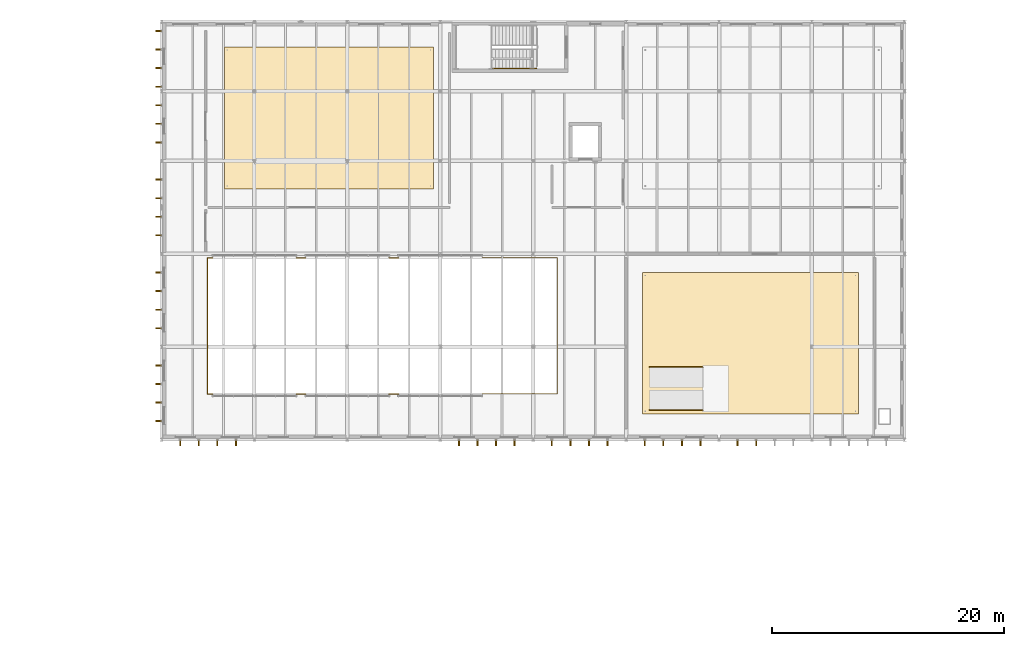
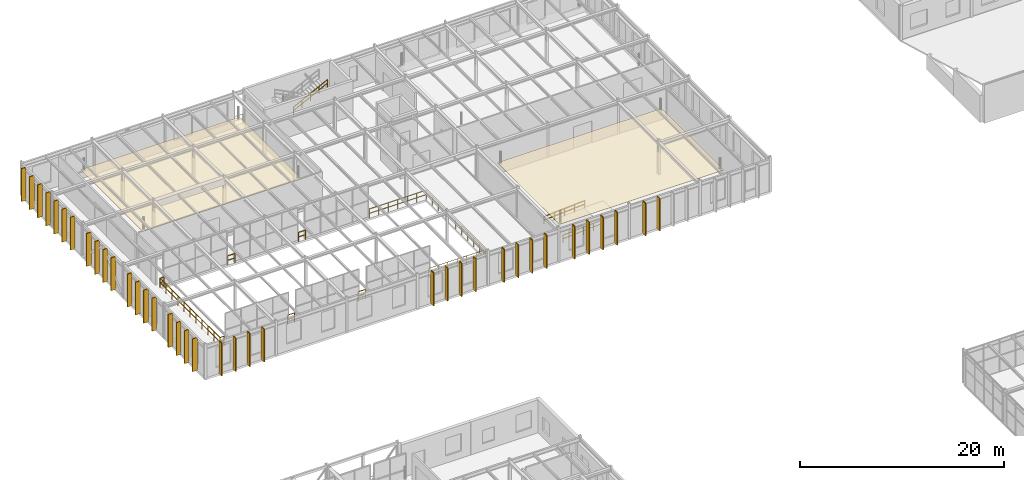
# One storey, part 119 of 124: 39 coverings, 37 shading devices, 10 railings.
"""IFC4 building model written with IfcOpenShell, lengths in metres."""

from ifc_helpers import new_model, si_unit, direction, frame, origin, origin_2d, place, context, subcontext, project, spatial, polyline, rectangle, circle, outline, extrude, material, layer, layer_set, type_object, element, save


model = new_model("IFC4")

# Units and contexts
model_context = context("Model", 3, precision=1e-05, world=origin(), true_north=direction((0.0, 1.0)))
body_context = subcontext(model_context, "Body", "Model", "MODEL_VIEW")
ifc_project = project(units=[si_unit("LENGTHUNIT", "METRE"), si_unit("AREAUNIT", "SQUARE_METRE"), si_unit("VOLUMEUNIT", "CUBIC_METRE"), si_unit("PLANEANGLEUNIT", "RADIAN"), si_unit("MASSUNIT", "GRAM", prefix="KILO")], contexts=[model_context])

# Site, building, storey
site_placement = place(None, origin())
site = spatial("IfcSite", under=ifc_project, at=site_placement, CompositionType="ELEMENT")
building_placement = place(site_placement, origin())
building = spatial("IfcBuilding", under=site, at=building_placement, Name="Sundkrona Museum", CompositionType="ELEMENT")
storey_placement = place(building_placement, frame((0.0, 0.0, 17.60009765625)))
storey = spatial("IfcBuildingStorey", under=building, at=storey_placement, Name="L03", CompositionType="ELEMENT", Elevation=17.60009765625)

# Coverings
ifc_material_1 = material(Name="Perforated Acoustic Gypsum and Mineral Wool Ceiling", Category="other")
ifc_layer_1 = layer(ifc_material_1, 0.0400390625)
ifc_layer_set_1 = layer_set([ifc_layer_1], Name="Perforated Acoustic Gypsum and Mineral Wool Ceiling")
covering_type_1 = type_object("IfcCoveringType", Name="COV-CEIL-AC", PredefinedType="CEILING", material=ifc_layer_set_1)
covering_1_placement = place(storey_placement, frame((0.0, 0.0, 2.5498046875)))
element("IfcCovering", 1, at=covering_1_placement, inside=storey, type_object=covering_type_1, Name="L03 Arctic Expeditions Gallery Acoustic Ceiling", PredefinedType="CEILING", context=body_context, shape_type="SweptSolid", body=[
    extrude(outline(polyline([(21.39990234375, 99.60009765625), (39.39990234375, 99.60009765625), (39.39990234375, 111.800048828125), (21.39990234375, 111.800048828125), (21.39990234375, 99.60009765625)])), origin(), (0.0, 0.0, 1.0), 0.0400390625),
])
covering_2_placement = place(storey_placement, frame((0.0, 0.0, 2.5498046875)))
element("IfcCovering", 2, at=covering_2_placement, inside=storey, type_object=covering_type_1, Name="L03 Nordic Ecology Gallery Acoustic Ceiling", PredefinedType="CEILING", context=body_context, shape_type="SweptSolid", body=[
    extrude(outline(polyline([(57.39990234375, 80.199951171875), (76.0, 80.199951171875), (76.0, 92.39990234375), (57.39990234375, 92.39990234375), (57.39990234375, 80.199951171875)])), origin(), (0.0, 0.0, 1.0), 0.0400390625),
])
ifc_material_2 = material(Name="Frost-Resistant Vitrified Stoneware Mosaic Cladding", Category="masonry")
ifc_layer_2 = layer(ifc_material_2, 0.044921875)
ifc_layer_set_2 = layer_set([ifc_layer_2], Name="Frost-Resistant Vitrified Stoneware Mosaic Cladding")
covering_type_2 = type_object("IfcCoveringType", Name="COV-CLD-MOS", PredefinedType="CLADDING", material=ifc_layer_set_2)
for number, where, z_axis, x_axis, name in (
    (3, (17.60009765625, 77.7451171875, 0.0), (0.0, 0.0, 1.0), (1.0, 0.0, 0.0), "L03 Vitrified Ceramic Brise-Soleil Casing S-109"),
    (4, (19.199951171875, 77.7451171875, 0.0), (0.0, 0.0, 1.0), (1.0, 0.0, 0.0), "L03 Vitrified Ceramic Brise-Soleil Casing S-110"),
    (5, (20.800048828125, 77.7451171875, 0.0), (0.0, 0.0, 1.0), (1.0, 0.0, 0.0), "L03 Vitrified Ceramic Brise-Soleil Casing S-111"),
    (6, (22.39990234375, 77.7451171875, 0.0), (0.0, 0.0, 1.0), (1.0, 0.0, 0.0), "L03 Vitrified Ceramic Brise-Soleil Casing S-112"),
    (7, (41.60009765625, 77.7451171875, 0.0), (0.0, 0.0, 1.0), (1.0, 0.0, 0.0), "L03 Vitrified Ceramic Brise-Soleil Casing S-113"),
    (8, (43.199951171875, 77.7451171875, 0.0), (0.0, 0.0, 1.0), (1.0, 0.0, 0.0), "L03 Vitrified Ceramic Brise-Soleil Casing S-114"),
    (9, (44.800048828125, 77.7451171875, 0.0), (0.0, 0.0, 1.0), (1.0, 0.0, 0.0), "L03 Vitrified Ceramic Brise-Soleil Casing S-115"),
    (10, (46.39990234375, 77.7451171875, 0.0), (0.0, 0.0, 1.0), (1.0, 0.0, 0.0), "L03 Vitrified Ceramic Brise-Soleil Casing S-116"),
    (11, (49.60009765625, 77.7451171875, 0.0), (0.0, 0.0, 1.0), (1.0, 0.0, 0.0), "L03 Vitrified Ceramic Brise-Soleil Casing S-117"),
    (12, (51.199951171875, 77.7451171875, 0.0), (0.0, 0.0, 1.0), (1.0, 0.0, 0.0), "L03 Vitrified Ceramic Brise-Soleil Casing S-118"),
    (13, (52.800048828125, 77.7451171875, 0.0), (0.0, 0.0, 1.0), (1.0, 0.0, 0.0), "L03 Vitrified Ceramic Brise-Soleil Casing S-119"),
    (14, (54.39990234375, 77.7451171875, 0.0), (0.0, 0.0, 1.0), (1.0, 0.0, 0.0), "L03 Vitrified Ceramic Brise-Soleil Casing S-120"),
):
    element("IfcCovering", number, at=place(storey_placement, frame(where, z_axis=z_axis, x_axis=x_axis)), inside=storey, type_object=covering_type_2, Name=name, PredefinedType="CLADDING", context=body_context, shape_type="SweptSolid", body=[
        extrude(rectangle(XDim=0.110107421875, YDim=0.530029296875, at=origin_2d()), origin(), (0.0, 0.0, 1.0), 3.9599609375),
    ])
for number, where, z_axis, x_axis, name in (
    (15, (57.60009765625, 77.7451171875, 0.0), (0.0, 0.0, 1.0), (1.0, 0.0, 0.0), "L03 Vitrified Ceramic Brise-Soleil Casing S-121"),
    (16, (59.199951171875, 77.7451171875, 0.0), (0.0, 0.0, 1.0), (1.0, 0.0, 0.0), "L03 Vitrified Ceramic Brise-Soleil Casing S-122"),
    (17, (60.800048828125, 77.7451171875, 0.0), (0.0, 0.0, 1.0), (1.0, 0.0, 0.0), "L03 Vitrified Ceramic Brise-Soleil Casing S-123"),
    (18, (62.39990234375, 77.7451171875, 0.0), (0.0, 0.0, 1.0), (1.0, 0.0, 0.0), "L03 Vitrified Ceramic Brise-Soleil Casing S-124"),
    (19, (65.60009765625, 77.7451171875, 0.0), (0.0, 0.0, 1.0), (1.0, 0.0, 0.0), "L03 Vitrified Ceramic Brise-Soleil Casing S-125"),
    (20, (67.199951171875, 77.7451171875, 0.0), (0.0, 0.0, 1.0), (1.0, 0.0, 0.0), "L03 Vitrified Ceramic Brise-Soleil Casing S-126"),
):
    element("IfcCovering", number, at=place(storey_placement, frame(where, z_axis=z_axis, x_axis=x_axis)), inside=storey, type_object=covering_type_2, Name=name, PredefinedType="CLADDING", context=body_context, shape_type="SweptSolid", body=[
        extrude(rectangle(XDim=0.110107421875, YDim=0.530029296875, at=origin_2d()), origin(), (0.0, 0.0, 1.0), 3.89990234375),
    ])
for number, where, z_axis, x_axis, name in (
    (21, (15.7451171875, 79.60009765625, 0.0), (0.0, 0.0, 1.0), (1.0, 0.0, 0.0), "L03 Vitrified Ceramic Brise-Soleil Casing W-218"),
    (22, (15.7451171875, 81.199951171875, 0.0), (0.0, 0.0, 1.0), (1.0, 0.0, 0.0), "L03 Vitrified Ceramic Brise-Soleil Casing W-219"),
    (23, (15.7451171875, 82.800048828125, 0.0), (0.0, 0.0, 1.0), (1.0, 0.0, 0.0), "L03 Vitrified Ceramic Brise-Soleil Casing W-220"),
    (24, (15.7451171875, 84.39990234375, 0.0), (0.0, 0.0, 1.0), (1.0, 0.0, 0.0), "L03 Vitrified Ceramic Brise-Soleil Casing W-221"),
    (25, (15.7451171875, 87.60009765625, 0.0), (0.0, 0.0, 1.0), (1.0, 0.0, 0.0), "L03 Vitrified Ceramic Brise-Soleil Casing W-222"),
    (26, (15.7451171875, 89.199951171875, 0.0), (0.0, 0.0, 1.0), (1.0, 0.0, 0.0), "L03 Vitrified Ceramic Brise-Soleil Casing W-223"),
    (27, (15.7451171875, 90.800048828125, 0.0), (0.0, 0.0, 1.0), (1.0, 0.0, 0.0), "L03 Vitrified Ceramic Brise-Soleil Casing W-224"),
    (28, (15.7451171875, 92.39990234375, 0.0), (0.0, 0.0, 1.0), (1.0, 0.0, 0.0), "L03 Vitrified Ceramic Brise-Soleil Casing W-225"),
    (29, (15.7451171875, 95.60009765625, 0.0), (0.0, 0.0, 1.0), (1.0, 0.0, 0.0), "L03 Vitrified Ceramic Brise-Soleil Casing W-226"),
    (30, (15.7451171875, 97.199951171875, 0.0), (0.0, 0.0, 1.0), (1.0, 0.0, 0.0), "L03 Vitrified Ceramic Brise-Soleil Casing W-227"),
    (31, (15.7451171875, 98.800048828125, 0.0), (0.0, 0.0, 1.0), (1.0, 0.0, 0.0), "L03 Vitrified Ceramic Brise-Soleil Casing W-228"),
    (32, (15.7451171875, 100.39990234375, 0.0), (0.0, 0.0, 1.0), (1.0, 0.0, 0.0), "L03 Vitrified Ceramic Brise-Soleil Casing W-229"),
    (33, (15.7451171875, 103.60009765625, 0.0), (0.0, 0.0, 1.0), (1.0, 0.0, 0.0), "L03 Vitrified Ceramic Brise-Soleil Casing W-230"),
    (34, (15.7451171875, 105.199951171875, 0.0), (0.0, 0.0, 1.0), (1.0, 0.0, 0.0), "L03 Vitrified Ceramic Brise-Soleil Casing W-231"),
    (35, (15.7451171875, 106.800048828125, 0.0), (0.0, 0.0, 1.0), (1.0, 0.0, 0.0), "L03 Vitrified Ceramic Brise-Soleil Casing W-232"),
    (36, (15.7451171875, 108.39990234375, 0.0), (0.0, 0.0, 1.0), (1.0, 0.0, 0.0), "L03 Vitrified Ceramic Brise-Soleil Casing W-233"),
    (37, (15.7451171875, 110.0, 0.0), (0.0, 0.0, 1.0), (1.0, 0.0, 0.0), "L03 Vitrified Ceramic Brise-Soleil Casing W-234"),
    (38, (15.7451171875, 111.60009765625, 0.0), (0.0, 0.0, 1.0), (1.0, 0.0, 0.0), "L03 Vitrified Ceramic Brise-Soleil Casing W-235"),
    (39, (15.7451171875, 113.199951171875, 0.0), (0.0, 0.0, 1.0), (1.0, 0.0, 0.0), "L03 Vitrified Ceramic Brise-Soleil Casing W-236"),
):
    element("IfcCovering", number, at=place(storey_placement, frame(where, z_axis=z_axis, x_axis=x_axis)), inside=storey, type_object=covering_type_2, Name=name, PredefinedType="CLADDING", context=body_context, shape_type="SweptSolid", body=[
        extrude(rectangle(XDim=0.530029296875, YDim=0.110107421875, at=origin_2d()), origin(), (0.0, 0.0, 1.0), 3.93994140625),
    ])

# Shading devices
ifc_material_3 = material(Name="Vitrified Stoneware Ceramic on Galvanised Steel Core", Category="masonry")
ifc_layer_3 = layer(ifc_material_3, 0.080078125)
ifc_layer_set_3 = layer_set([ifc_layer_3], Name="Vitrified Stoneware Ceramic on Galvanised Steel Core")
shading_device_type = type_object("IfcShadingDeviceType", Name="FIN-CER-520", PredefinedType="USERDEFINED", material=ifc_layer_set_3)
for number, where, z_axis, x_axis, name in (
    (40, (17.60009765625, 77.739990234375, 0.0), (0.0, 0.0, 1.0), (1.0, 0.0, 0.0), "L03 Ceramic Brise-Soleil Fin S-109"),
    (41, (19.199951171875, 77.739990234375, 0.0), (0.0, 0.0, 1.0), (1.0, 0.0, 0.0), "L03 Ceramic Brise-Soleil Fin S-110"),
    (42, (20.800048828125, 77.739990234375, 0.0), (0.0, 0.0, 1.0), (1.0, 0.0, 0.0), "L03 Ceramic Brise-Soleil Fin S-111"),
    (43, (22.39990234375, 77.739990234375, 0.0), (0.0, 0.0, 1.0), (1.0, 0.0, 0.0), "L03 Ceramic Brise-Soleil Fin S-112"),
    (44, (41.60009765625, 77.739990234375, 0.0), (0.0, 0.0, 1.0), (1.0, 0.0, 0.0), "L03 Ceramic Brise-Soleil Fin S-113"),
    (45, (43.199951171875, 77.739990234375, 0.0), (0.0, 0.0, 1.0), (1.0, 0.0, 0.0), "L03 Ceramic Brise-Soleil Fin S-114"),
    (46, (44.800048828125, 77.739990234375, 0.0), (0.0, 0.0, 1.0), (1.0, 0.0, 0.0), "L03 Ceramic Brise-Soleil Fin S-115"),
    (47, (46.39990234375, 77.739990234375, 0.0), (0.0, 0.0, 1.0), (1.0, 0.0, 0.0), "L03 Ceramic Brise-Soleil Fin S-116"),
    (48, (49.60009765625, 77.739990234375, 0.0), (0.0, 0.0, 1.0), (1.0, 0.0, 0.0), "L03 Ceramic Brise-Soleil Fin S-117"),
    (49, (51.199951171875, 77.739990234375, 0.0), (0.0, 0.0, 1.0), (1.0, 0.0, 0.0), "L03 Ceramic Brise-Soleil Fin S-118"),
    (50, (52.800048828125, 77.739990234375, 0.0), (0.0, 0.0, 1.0), (1.0, 0.0, 0.0), "L03 Ceramic Brise-Soleil Fin S-119"),
    (51, (54.39990234375, 77.739990234375, 0.0), (0.0, 0.0, 1.0), (1.0, 0.0, 0.0), "L03 Ceramic Brise-Soleil Fin S-120"),
):
    element("IfcShadingDevice", number, at=place(storey_placement, frame(where, z_axis=z_axis, x_axis=x_axis)), inside=storey, type_object=shading_device_type, Name=name, ObjectType="SOLAR FIN", PredefinedType="USERDEFINED", context=body_context, shape_type="SweptSolid", body=[
        extrude(rectangle(XDim=0.080078125, YDim=0.52001953125, at=origin_2d()), origin(), (0.0, 0.0, 1.0), 3.9599609375),
    ])
for number, where, z_axis, x_axis, name in (
    (52, (57.60009765625, 77.739990234375, 0.0), (0.0, 0.0, 1.0), (1.0, 0.0, 0.0), "L03 Ceramic Brise-Soleil Fin S-121"),
    (53, (59.199951171875, 77.739990234375, 0.0), (0.0, 0.0, 1.0), (1.0, 0.0, 0.0), "L03 Ceramic Brise-Soleil Fin S-122"),
    (54, (60.800048828125, 77.739990234375, 0.0), (0.0, 0.0, 1.0), (1.0, 0.0, 0.0), "L03 Ceramic Brise-Soleil Fin S-123"),
    (55, (62.39990234375, 77.739990234375, 0.0), (0.0, 0.0, 1.0), (1.0, 0.0, 0.0), "L03 Ceramic Brise-Soleil Fin S-124"),
    (56, (65.60009765625, 77.739990234375, 0.0), (0.0, 0.0, 1.0), (1.0, 0.0, 0.0), "L03 Ceramic Brise-Soleil Fin S-125"),
    (57, (67.199951171875, 77.739990234375, 0.0), (0.0, 0.0, 1.0), (1.0, 0.0, 0.0), "L03 Ceramic Brise-Soleil Fin S-126"),
):
    element("IfcShadingDevice", number, at=place(storey_placement, frame(where, z_axis=z_axis, x_axis=x_axis)), inside=storey, type_object=shading_device_type, Name=name, ObjectType="SOLAR FIN", PredefinedType="USERDEFINED", context=body_context, shape_type="SweptSolid", body=[
        extrude(rectangle(XDim=0.080078125, YDim=0.52001953125, at=origin_2d()), origin(), (0.0, 0.0, 1.0), 3.89990234375),
    ])
for number, where, z_axis, x_axis, name in (
    (58, (15.739990234375, 79.60009765625, 0.0), (0.0, 0.0, 1.0), (1.0, 0.0, 0.0), "L03 Ceramic Brise-Soleil Fin W-218"),
    (59, (15.739990234375, 81.199951171875, 0.0), (0.0, 0.0, 1.0), (1.0, 0.0, 0.0), "L03 Ceramic Brise-Soleil Fin W-219"),
    (60, (15.739990234375, 82.800048828125, 0.0), (0.0, 0.0, 1.0), (1.0, 0.0, 0.0), "L03 Ceramic Brise-Soleil Fin W-220"),
    (61, (15.739990234375, 84.39990234375, 0.0), (0.0, 0.0, 1.0), (1.0, 0.0, 0.0), "L03 Ceramic Brise-Soleil Fin W-221"),
    (62, (15.739990234375, 87.60009765625, 0.0), (0.0, 0.0, 1.0), (1.0, 0.0, 0.0), "L03 Ceramic Brise-Soleil Fin W-222"),
    (63, (15.739990234375, 89.199951171875, 0.0), (0.0, 0.0, 1.0), (1.0, 0.0, 0.0), "L03 Ceramic Brise-Soleil Fin W-223"),
    (64, (15.739990234375, 90.800048828125, 0.0), (0.0, 0.0, 1.0), (1.0, 0.0, 0.0), "L03 Ceramic Brise-Soleil Fin W-224"),
    (65, (15.739990234375, 92.39990234375, 0.0), (0.0, 0.0, 1.0), (1.0, 0.0, 0.0), "L03 Ceramic Brise-Soleil Fin W-225"),
    (66, (15.739990234375, 95.60009765625, 0.0), (0.0, 0.0, 1.0), (1.0, 0.0, 0.0), "L03 Ceramic Brise-Soleil Fin W-226"),
    (67, (15.739990234375, 97.199951171875, 0.0), (0.0, 0.0, 1.0), (1.0, 0.0, 0.0), "L03 Ceramic Brise-Soleil Fin W-227"),
    (68, (15.739990234375, 98.800048828125, 0.0), (0.0, 0.0, 1.0), (1.0, 0.0, 0.0), "L03 Ceramic Brise-Soleil Fin W-228"),
    (69, (15.739990234375, 100.39990234375, 0.0), (0.0, 0.0, 1.0), (1.0, 0.0, 0.0), "L03 Ceramic Brise-Soleil Fin W-229"),
    (70, (15.739990234375, 103.60009765625, 0.0), (0.0, 0.0, 1.0), (1.0, 0.0, 0.0), "L03 Ceramic Brise-Soleil Fin W-230"),
    (71, (15.739990234375, 105.199951171875, 0.0), (0.0, 0.0, 1.0), (1.0, 0.0, 0.0), "L03 Ceramic Brise-Soleil Fin W-231"),
    (72, (15.739990234375, 106.800048828125, 0.0), (0.0, 0.0, 1.0), (1.0, 0.0, 0.0), "L03 Ceramic Brise-Soleil Fin W-232"),
    (73, (15.739990234375, 108.39990234375, 0.0), (0.0, 0.0, 1.0), (1.0, 0.0, 0.0), "L03 Ceramic Brise-Soleil Fin W-233"),
    (74, (15.739990234375, 110.0, 0.0), (0.0, 0.0, 1.0), (1.0, 0.0, 0.0), "L03 Ceramic Brise-Soleil Fin W-234"),
    (75, (15.739990234375, 111.60009765625, 0.0), (0.0, 0.0, 1.0), (1.0, 0.0, 0.0), "L03 Ceramic Brise-Soleil Fin W-235"),
    (76, (15.739990234375, 113.199951171875, 0.0), (0.0, 0.0, 1.0), (1.0, 0.0, 0.0), "L03 Ceramic Brise-Soleil Fin W-236"),
):
    element("IfcShadingDevice", number, at=place(storey_placement, frame(where, z_axis=z_axis, x_axis=x_axis)), inside=storey, type_object=shading_device_type, Name=name, ObjectType="SOLAR FIN", PredefinedType="USERDEFINED", context=body_context, shape_type="SweptSolid", body=[
        extrude(rectangle(XDim=0.52001953125, YDim=0.080078125, at=origin_2d()), origin(), (0.0, 0.0, 1.0), 3.93994140625),
    ])

# Railings
ifc_material_4 = material(Name="Painted Steel S355J2 and Laminated Glass Balustrade", Category="steel")
railing_type_1 = type_object("IfcRailingType", Name="RL-GUARD-1100", PredefinedType="BALUSTRADE", material=ifc_material_4)
railing_1_placement = place(storey_placement, frame((19.93994140625, 81.93994140625, 0.0)))
element("IfcRailing", 77, at=railing_1_placement, inside=storey, type_object=railing_type_1, Name="L03 Edge Protection Balustrade 004", PredefinedType="BALUSTRADE", context=body_context, shape_type="SweptSolid", body=[
    extrude(circle(Radius=0.02392578125, at=origin_2d()), frame((0.0, 0.0, 1.09619140625), z_axis=(1.0, 0.0, 0.0), x_axis=(0.0, 1.0, 0.0)), (0.0, 0.0, 1.0), 0.4599609375),
    extrude(circle(Radius=0.02392578125, at=origin_2d()), frame((0.0, 0.0, 0.56005859375), z_axis=(1.0, 0.0, 0.0), x_axis=(0.0, 1.0, 0.0)), (0.0, 0.0, 1.0), 0.4599609375),
    extrude(circle(Radius=0.02099609375, at=origin_2d()), origin(), (0.0, 0.0, 1.0), 1.072021484375),
    extrude(circle(Radius=0.02099609375, at=origin_2d()), frame((0.4599609375, 0.0, 0.0)), (0.0, 0.0, 1.0), 1.072021484375),
])
railing_2_placement = place(storey_placement, frame((20.39990234375, 93.659912109375, 0.0)))
element("IfcRailing", 78, at=railing_2_placement, inside=storey, type_object=railing_type_1, Name="L03 Edge Protection Balustrade 005", PredefinedType="BALUSTRADE", context=body_context, shape_type="SweptSolid", body=[
    extrude(circle(Radius=0.02392578125, at=origin_2d()), frame((0.0, 0.0, 1.09619140625), z_axis=(-1.0, 0.0, 0.0), x_axis=(0.0, -1.0, 0.0)), (0.0, 0.0, 1.0), 0.4599609375),
    extrude(circle(Radius=0.02392578125, at=origin_2d()), frame((0.0, 0.0, 0.56005859375), z_axis=(-1.0, 0.0, 0.0), x_axis=(0.0, -1.0, 0.0)), (0.0, 0.0, 1.0), 0.4599609375),
    extrude(circle(Radius=0.02392578125, at=origin_2d()), frame((-0.4599609375, 0.0, 1.09619140625), z_axis=(0.0, -1.0, 0.0), x_axis=(1.0, 0.0, 0.0)), (0.0, 0.0, 1.0), 11.719970703125),
    extrude(circle(Radius=0.02392578125, at=origin_2d()), frame((-0.4599609375, 0.0, 0.56005859375), z_axis=(0.0, -1.0, 0.0), x_axis=(1.0, 0.0, 0.0)), (0.0, 0.0, 1.0), 11.719970703125),
    extrude(circle(Radius=0.02099609375, at=origin_2d()), origin(), (0.0, 0.0, 1.0), 1.072021484375),
    extrude(circle(Radius=0.02099609375, at=origin_2d()), frame((-0.4599609375, 0.0, 0.0)), (0.0, 0.0, 1.0), 1.072021484375),
    extrude(circle(Radius=0.02099609375, at=origin_2d()), frame((-0.4599609375, -1.171875, 0.0)), (0.0, 0.0, 1.0), 1.072021484375),
    extrude(circle(Radius=0.02099609375, at=origin_2d()), frame((-0.4599609375, -2.343994140625, 0.0)), (0.0, 0.0, 1.0), 1.072021484375),
    extrude(circle(Radius=0.02099609375, at=origin_2d()), frame((-0.4599609375, -3.51611328125, 0.0)), (0.0, 0.0, 1.0), 1.072021484375),
    extrude(circle(Radius=0.02099609375, at=origin_2d()), frame((-0.4599609375, -4.68798828125, 0.0)), (0.0, 0.0, 1.0), 1.072021484375),
    extrude(circle(Radius=0.02099609375, at=origin_2d()), frame((-0.4599609375, -5.85986328125, 0.0)), (0.0, 0.0, 1.0), 1.072021484375),
    extrude(circle(Radius=0.02099609375, at=origin_2d()), frame((-0.4599609375, -7.031982421875, 0.0)), (0.0, 0.0, 1.0), 1.072021484375),
    extrude(circle(Radius=0.02099609375, at=origin_2d()), frame((-0.4599609375, -8.2041015625, 0.0)), (0.0, 0.0, 1.0), 1.072021484375),
    extrude(circle(Radius=0.02099609375, at=origin_2d()), frame((-0.4599609375, -9.3759765625, 0.0)), (0.0, 0.0, 1.0), 1.072021484375),
    extrude(circle(Radius=0.02099609375, at=origin_2d()), frame((-0.4599609375, -10.5478515625, 0.0)), (0.0, 0.0, 1.0), 1.072021484375),
    extrude(circle(Radius=0.02099609375, at=origin_2d()), frame((-0.4599609375, -11.719970703125, 0.0)), (0.0, 0.0, 1.0), 1.072021484375),
])
railing_3_placement = place(storey_placement, frame((27.60009765625, 81.93994140625, 0.0)))
element("IfcRailing", 79, at=railing_3_placement, inside=storey, type_object=railing_type_1, Name="L03 Edge Protection Balustrade 006", PredefinedType="BALUSTRADE", context=body_context, shape_type="SweptSolid", body=[
    extrude(circle(Radius=0.02392578125, at=origin_2d()), frame((0.0, 0.0, 1.09619140625), z_axis=(1.0, 0.0, 0.0), x_axis=(0.0, 1.0, 0.0)), (0.0, 0.0, 1.0), 0.7998046875),
    extrude(circle(Radius=0.02392578125, at=origin_2d()), frame((0.0, 0.0, 0.56005859375), z_axis=(1.0, 0.0, 0.0), x_axis=(0.0, 1.0, 0.0)), (0.0, 0.0, 1.0), 0.7998046875),
    extrude(circle(Radius=0.02099609375, at=origin_2d()), origin(), (0.0, 0.0, 1.0), 1.072021484375),
    extrude(circle(Radius=0.02099609375, at=origin_2d()), frame((0.7998046875, 0.0, 0.0)), (0.0, 0.0, 1.0), 1.072021484375),
])
railing_4_placement = place(storey_placement, frame((28.39990234375, 93.659912109375, 0.0)))
element("IfcRailing", 80, at=railing_4_placement, inside=storey, type_object=railing_type_1, Name="L03 Edge Protection Balustrade 007", PredefinedType="BALUSTRADE", context=body_context, shape_type="SweptSolid", body=[
    extrude(circle(Radius=0.02392578125, at=origin_2d()), frame((0.0, 0.0, 1.09619140625), z_axis=(-1.0, 0.0, 0.0), x_axis=(0.0, -1.0, 0.0)), (0.0, 0.0, 1.0), 0.7998046875),
    extrude(circle(Radius=0.02392578125, at=origin_2d()), frame((0.0, 0.0, 0.56005859375), z_axis=(-1.0, 0.0, 0.0), x_axis=(0.0, -1.0, 0.0)), (0.0, 0.0, 1.0), 0.7998046875),
    extrude(circle(Radius=0.02099609375, at=origin_2d()), origin(), (0.0, 0.0, 1.0), 1.072021484375),
    extrude(circle(Radius=0.02099609375, at=origin_2d()), frame((-0.7998046875, 0.0, 0.0)), (0.0, 0.0, 1.0), 1.072021484375),
])
railing_5_placement = place(storey_placement, frame((35.60009765625, 81.93994140625, 0.0)))
element("IfcRailing", 81, at=railing_5_placement, inside=storey, type_object=railing_type_1, Name="L03 Edge Protection Balustrade 010", PredefinedType="BALUSTRADE", context=body_context, shape_type="SweptSolid", body=[
    extrude(circle(Radius=0.02392578125, at=origin_2d()), frame((0.0, 0.0, 1.09619140625), z_axis=(1.0, 0.0, 0.0), x_axis=(0.0, 1.0, 0.0)), (0.0, 0.0, 1.0), 0.7998046875),
    extrude(circle(Radius=0.02392578125, at=origin_2d()), frame((0.0, 0.0, 0.56005859375), z_axis=(1.0, 0.0, 0.0), x_axis=(0.0, 1.0, 0.0)), (0.0, 0.0, 1.0), 0.7998046875),
    extrude(circle(Radius=0.02099609375, at=origin_2d()), origin(), (0.0, 0.0, 1.0), 1.072021484375),
    extrude(circle(Radius=0.02099609375, at=origin_2d()), frame((0.7998046875, 0.0, 0.0)), (0.0, 0.0, 1.0), 1.072021484375),
])
railing_6_placement = place(storey_placement, frame((36.39990234375, 93.659912109375, 0.0)))
element("IfcRailing", 82, at=railing_6_placement, inside=storey, type_object=railing_type_1, Name="L03 Edge Protection Balustrade 011", PredefinedType="BALUSTRADE", context=body_context, shape_type="SweptSolid", body=[
    extrude(circle(Radius=0.02392578125, at=origin_2d()), frame((0.0, 0.0, 1.09619140625), z_axis=(-1.0, 0.0, 0.0), x_axis=(0.0, -1.0, 0.0)), (0.0, 0.0, 1.0), 0.7998046875),
    extrude(circle(Radius=0.02392578125, at=origin_2d()), frame((0.0, 0.0, 0.56005859375), z_axis=(-1.0, 0.0, 0.0), x_axis=(0.0, -1.0, 0.0)), (0.0, 0.0, 1.0), 0.7998046875),
    extrude(circle(Radius=0.02099609375, at=origin_2d()), origin(), (0.0, 0.0, 1.0), 1.072021484375),
    extrude(circle(Radius=0.02099609375, at=origin_2d()), frame((-0.7998046875, 0.0, 0.0)), (0.0, 0.0, 1.0), 1.072021484375),
])
railing_7_placement = place(storey_placement, frame((43.60009765625, 81.93994140625, 0.0)))
element("IfcRailing", 83, at=railing_7_placement, inside=storey, type_object=railing_type_1, Name="L03 Edge Protection Balustrade 013", PredefinedType="BALUSTRADE", context=body_context, shape_type="SweptSolid", body=[
    extrude(circle(Radius=0.02392578125, at=origin_2d()), frame((0.0, 0.0, 1.09619140625), z_axis=(1.0, 0.0, 0.0), x_axis=(0.0, 1.0, 0.0)), (0.0, 0.0, 1.0), 6.4599609375),
    extrude(circle(Radius=0.02392578125, at=origin_2d()), frame((0.0, 0.0, 0.56005859375), z_axis=(1.0, 0.0, 0.0), x_axis=(0.0, 1.0, 0.0)), (0.0, 0.0, 1.0), 6.4599609375),
    extrude(circle(Radius=0.02392578125, at=origin_2d()), frame((6.4599609375, 0.0, 1.09619140625), z_axis=(0.0, 1.0, 0.0), x_axis=(-1.0, 0.0, 0.0)), (0.0, 0.0, 1.0), 11.719970703125),
    extrude(circle(Radius=0.02392578125, at=origin_2d()), frame((6.4599609375, 0.0, 0.56005859375), z_axis=(0.0, 1.0, 0.0), x_axis=(-1.0, 0.0, 0.0)), (0.0, 0.0, 1.0), 11.719970703125),
    extrude(circle(Radius=0.02392578125, at=origin_2d()), frame((6.4599609375, 11.719970703125, 1.09619140625), z_axis=(-1.0, 0.0, 0.0), x_axis=(0.0, -1.0, 0.0)), (0.0, 0.0, 1.0), 6.4599609375),
    extrude(circle(Radius=0.02392578125, at=origin_2d()), frame((6.4599609375, 11.719970703125, 0.56005859375), z_axis=(-1.0, 0.0, 0.0), x_axis=(0.0, -1.0, 0.0)), (0.0, 0.0, 1.0), 6.4599609375),
    extrude(circle(Radius=0.02099609375, at=origin_2d()), origin(), (0.0, 0.0, 1.0), 1.072021484375),
    extrude(circle(Radius=0.02099609375, at=origin_2d()), frame((1.07666015625, 0.0, 0.0)), (0.0, 0.0, 1.0), 1.072021484375),
    extrude(circle(Radius=0.02099609375, at=origin_2d()), frame((2.1533203125, 0.0, 0.0)), (0.0, 0.0, 1.0), 1.072021484375),
    extrude(circle(Radius=0.02099609375, at=origin_2d()), frame((3.22998046875, 0.0, 0.0)), (0.0, 0.0, 1.0), 1.072021484375),
    extrude(circle(Radius=0.02099609375, at=origin_2d()), frame((4.306640625, 0.0, 0.0)), (0.0, 0.0, 1.0), 1.072021484375),
    extrude(circle(Radius=0.02099609375, at=origin_2d()), frame((5.38330078125, 0.0, 0.0)), (0.0, 0.0, 1.0), 1.072021484375),
    extrude(circle(Radius=0.02099609375, at=origin_2d()), frame((6.4599609375, 0.0, 0.0)), (0.0, 0.0, 1.0), 1.072021484375),
    extrude(circle(Radius=0.02099609375, at=origin_2d()), frame((6.4599609375, 1.171875, 0.0)), (0.0, 0.0, 1.0), 1.072021484375),
    extrude(circle(Radius=0.02099609375, at=origin_2d()), frame((6.4599609375, 2.343994140625, 0.0)), (0.0, 0.0, 1.0), 1.072021484375),
    extrude(circle(Radius=0.02099609375, at=origin_2d()), frame((6.4599609375, 3.51611328125, 0.0)), (0.0, 0.0, 1.0), 1.072021484375),
    extrude(circle(Radius=0.02099609375, at=origin_2d()), frame((6.4599609375, 4.68798828125, 0.0)), (0.0, 0.0, 1.0), 1.072021484375),
    extrude(circle(Radius=0.02099609375, at=origin_2d()), frame((6.4599609375, 5.85986328125, 0.0)), (0.0, 0.0, 1.0), 1.072021484375),
    extrude(circle(Radius=0.02099609375, at=origin_2d()), frame((6.4599609375, 7.031982421875, 0.0)), (0.0, 0.0, 1.0), 1.072021484375),
    extrude(circle(Radius=0.02099609375, at=origin_2d()), frame((6.4599609375, 8.2041015625, 0.0)), (0.0, 0.0, 1.0), 1.072021484375),
    extrude(circle(Radius=0.02099609375, at=origin_2d()), frame((6.4599609375, 9.3759765625, 0.0)), (0.0, 0.0, 1.0), 1.072021484375),
    extrude(circle(Radius=0.02099609375, at=origin_2d()), frame((6.4599609375, 10.5478515625, 0.0)), (0.0, 0.0, 1.0), 1.072021484375),
    extrude(circle(Radius=0.02099609375, at=origin_2d()), frame((6.4599609375, 11.719970703125, 0.0)), (0.0, 0.0, 1.0), 1.072021484375),
    extrude(circle(Radius=0.02099609375, at=origin_2d()), frame((5.38330078125, 11.719970703125, 0.0)), (0.0, 0.0, 1.0), 1.072021484375),
    extrude(circle(Radius=0.02099609375, at=origin_2d()), frame((4.306640625, 11.719970703125, 0.0)), (0.0, 0.0, 1.0), 1.072021484375),
    extrude(circle(Radius=0.02099609375, at=origin_2d()), frame((3.22998046875, 11.719970703125, 0.0)), (0.0, 0.0, 1.0), 1.072021484375),
    extrude(circle(Radius=0.02099609375, at=origin_2d()), frame((2.1533203125, 11.719970703125, 0.0)), (0.0, 0.0, 1.0), 1.072021484375),
    extrude(circle(Radius=0.02099609375, at=origin_2d()), frame((1.07666015625, 11.719970703125, 0.0)), (0.0, 0.0, 1.0), 1.072021484375),
    extrude(circle(Radius=0.02099609375, at=origin_2d()), frame((0.0, 11.719970703125, 0.0)), (0.0, 0.0, 1.0), 1.072021484375),
])
ifc_material_5 = material(Name="Brushed Bronze-Clad Steel Handrail", Category="steel")
railing_type_2 = type_object("IfcRailingType", Name="RL-HAND-900", PredefinedType="HANDRAIL", material=ifc_material_5)
railing_8_placement = place(storey_placement, frame((44.465087890625, 109.949951171875, 2.25)))
element("IfcRailing", 84, at=railing_8_placement, inside=storey, type_object=railing_type_2, Name="L03 ST-3 stair handrail 2", PredefinedType="HANDRAIL", context=body_context, shape_type="SweptSolid", body=[
    extrude(circle(Radius=0.02392578125, at=origin_2d()), frame((0.0, 0.0, 0.8759765625), z_axis=(0.891387850335, 0.0, 0.453241326752), x_axis=(0.0, 1.0, 0.0)), (0.0, 0.0, 1.0), 4.30224609375),
    extrude(circle(Radius=0.02392578125, at=origin_2d()), frame((0.0, 0.0, 0.449951171875), z_axis=(0.891387850335, 0.0, 0.453241326752), x_axis=(0.0, 1.0, 0.0)), (0.0, 0.0, 1.0), 4.30224609375),
    extrude(circle(Radius=0.02099609375, at=origin_2d()), origin(), (0.0, 0.0, 1.0), 0.851806640625),
    extrude(circle(Radius=0.02099609375, at=origin_2d()), frame((0.958740234375, 0.0, 0.487548828125)), (0.0, 0.0, 1.0), 0.851806640625),
    extrude(circle(Radius=0.02099609375, at=origin_2d()), frame((1.91748046875, 0.0, 0.97509765625)), (0.0, 0.0, 1.0), 0.851806640625),
    extrude(circle(Radius=0.02099609375, at=origin_2d()), frame((2.876220703125, 0.0, 1.46240234375)), (0.0, 0.0, 1.0), 0.851806640625),
    extrude(circle(Radius=0.02099609375, at=origin_2d()), frame((3.8349609375, 0.0, 1.949951171875)), (0.0, 0.0, 1.0), 0.851806640625),
])
railing_9_placement = place(storey_placement, frame((58.0, 80.550048828125, 0.0)))
element("IfcRailing", 85, at=railing_9_placement, inside=storey, type_object=railing_type_2, Name="RMP-06 Handrail South", PredefinedType="HANDRAIL", context=body_context, shape_type="SweptSolid", body=[
    extrude(circle(Radius=0.02392578125, at=origin_2d()), frame((0.0, 0.0, 0.8759765625), z_axis=(0.998155484319, 0.0, 0.060709382498), x_axis=(0.0, 1.0, 0.0)), (0.0, 0.0, 1.0), 4.608642578125),
    extrude(circle(Radius=0.02392578125, at=origin_2d()), frame((0.0, 0.0, 0.449951171875), z_axis=(0.998155484319, 0.0, 0.060709382498), x_axis=(0.0, 1.0, 0.0)), (0.0, 0.0, 1.0), 4.608642578125),
    extrude(circle(Radius=0.02099609375, at=origin_2d()), origin(), (0.0, 0.0, 1.0), 0.851806640625),
    extrude(circle(Radius=0.02099609375, at=origin_2d()), frame((1.14990234375, 0.0, 0.06982421875)), (0.0, 0.0, 1.0), 0.851806640625),
    extrude(circle(Radius=0.02099609375, at=origin_2d()), frame((2.300048828125, 0.0, 0.139892578125)), (0.0, 0.0, 1.0), 0.851806640625),
    extrude(circle(Radius=0.02099609375, at=origin_2d()), frame((3.4501953125, 0.0, 0.2099609375)), (0.0, 0.0, 1.0), 0.851806640625),
    extrude(circle(Radius=0.02099609375, at=origin_2d()), frame((4.60009765625, 0.0, 0.27978515625)), (0.0, 0.0, 1.0), 0.851806640625),
])
railing_10_placement = place(storey_placement, frame((62.60009765625, 84.25, 0.27978515625)))
element("IfcRailing", 86, at=railing_10_placement, inside=storey, type_object=railing_type_2, Name="RMP-06 Handrail North", PredefinedType="HANDRAIL", context=body_context, shape_type="SweptSolid", body=[
    extrude(circle(Radius=0.02392578125, at=origin_2d()), frame((0.0, 0.0, 0.8759765625), z_axis=(-0.998155484319, 0.0, -0.060709382498), x_axis=(0.0, -1.0, 0.0)), (0.0, 0.0, 1.0), 4.608642578125),
    extrude(circle(Radius=0.02392578125, at=origin_2d()), frame((0.0, 0.0, 0.449951171875), z_axis=(-0.998155484319, 0.0, -0.060709382498), x_axis=(0.0, -1.0, 0.0)), (0.0, 0.0, 1.0), 4.608642578125),
    extrude(circle(Radius=0.02099609375, at=origin_2d()), origin(), (0.0, 0.0, 1.0), 0.851806640625),
    extrude(circle(Radius=0.02099609375, at=origin_2d()), frame((-1.14990234375, 0.0, -0.06982421875)), (0.0, 0.0, 1.0), 0.851806640625),
    extrude(circle(Radius=0.02099609375, at=origin_2d()), frame((-2.300048828125, 0.0, -0.139892578125)), (0.0, 0.0, 1.0), 0.851806640625),
    extrude(circle(Radius=0.02099609375, at=origin_2d()), frame((-3.4501953125, 0.0, -0.2099609375)), (0.0, 0.0, 1.0), 0.851806640625),
    extrude(circle(Radius=0.02099609375, at=origin_2d()), frame((-4.60009765625, 0.0, -0.27978515625)), (0.0, 0.0, 1.0), 0.851806640625),
])

save(model, "model.ifc")
